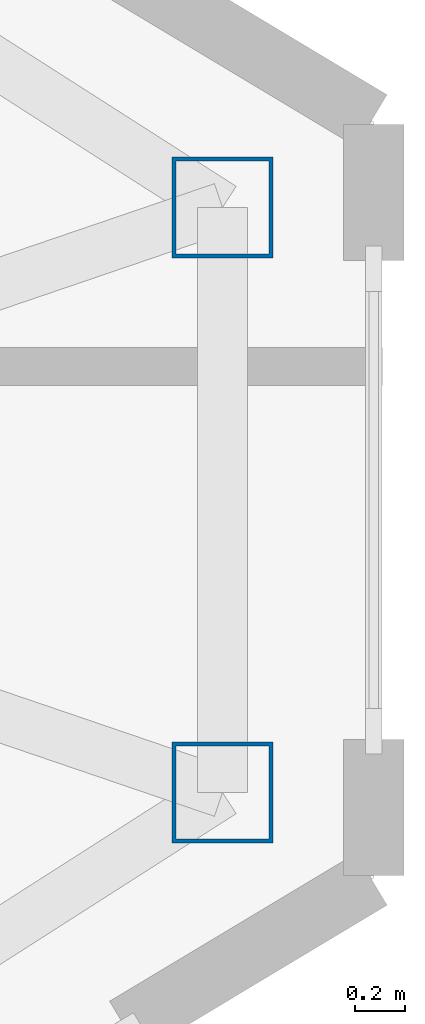
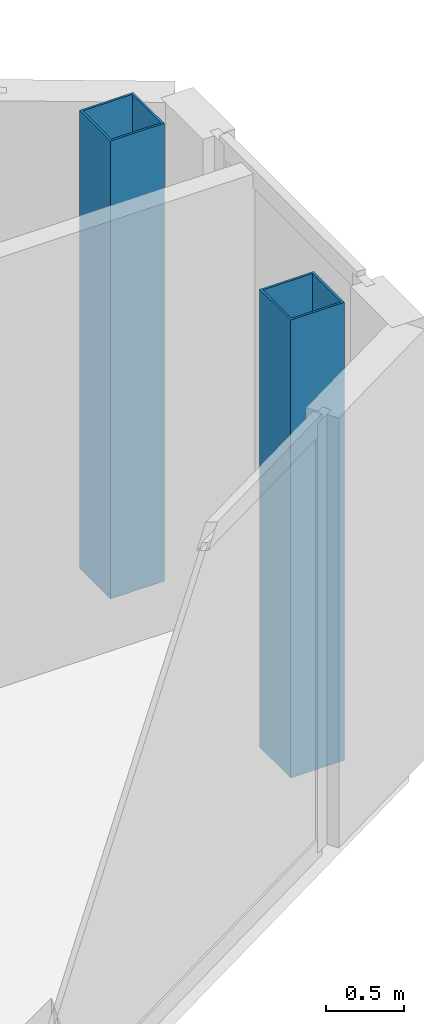
# One storey, part 4 of 25: 2 columns.
"""IFC4 building model written with IfcOpenShell, lengths in metres."""

from ifc_helpers import new_model, si_unit, direction, frame, origin, origin_2d, place, context, subcontext, project, spatial, hollow_rectangle, extrude, source, transform, mapped, material, material_profile, profile_set, type_object, type_shapes, element, save


model = new_model("IFC4")

# Units and contexts
model_context = context("Model", 3, precision=1e-05, world=origin(), true_north=direction((0.0, 1.0)))
body_context = subcontext(model_context, "Body", "Model", "MODEL_VIEW")
ifc_project = project(units=[si_unit("LENGTHUNIT", "METRE"), si_unit("AREAUNIT", "SQUARE_METRE"), si_unit("VOLUMEUNIT", "CUBIC_METRE"), si_unit("PLANEANGLEUNIT", "RADIAN"), si_unit("MASSUNIT", "GRAM", prefix="KILO")], contexts=[model_context])

# Site, building, storey
site_placement = place(None, origin())
site = spatial("IfcSite", under=ifc_project, at=site_placement, CompositionType="ELEMENT")
building_placement = place(site_placement, origin())
building = spatial("IfcBuilding", under=site, at=building_placement, Name="Seokmaru Belvedere", CompositionType="ELEMENT")
storey_placement = place(building_placement, frame((0.0, 0.0, 217.5)))
storey = spatial("IfcBuildingStorey", under=building, at=storey_placement, Name="L58", CompositionType="ELEMENT", Elevation=217.5)

# Columns
ifc_material = material(Name="Steel SM355 (355 MPa)", Category="steel")
ifc_material_profile = material_profile(ifc_material, hollow_rectangle(XDim=0.39990234375, YDim=0.39990234375, WallThickness=0.01611328125, at=origin_2d()), Name="HSS-400x400x16")
ifc_profile_set = profile_set([ifc_material_profile], Name="Steel SM355 (355 MPa)")
column_type = type_object("IfcColumnType", Name="Perimeter Facet Column HSS-400", PredefinedType="COLUMN", material=ifc_profile_set)
shared_shape = source(origin(), body_context, "Body", "SweptSolid", [
    extrude(hollow_rectangle(XDim=0.39990234375, YDim=0.39990234375, WallThickness=0.01611328125, at=origin_2d()), origin(), (0.0, 0.0, 1.0), 3.60009765625),
])
type_shapes(column_type, [shared_shape])
for number, where, z_axis, x_axis, name in (
    (1, (66.89990234375, -1.160400390625, 0.0), (0.0, 0.0, 1.0), (1.0, 0.0, 0.0), "L58 Column EF2"),
    (2, (66.89990234375, 1.160400390625, 0.0), (0.0, 0.0, 1.0), (1.0, 0.0, 0.0), "L58 Column EF3"),
):
    element("IfcColumn", number, at=place(storey_placement, frame(where, z_axis=z_axis, x_axis=x_axis)), inside=storey, type_object=column_type, Name=name, PredefinedType="COLUMN", context=body_context, shape_type="MappedRepresentation", body=[
        mapped(shared_shape, transform((0.0, 0.0, 0.0), scale=1.0)),
    ])

save(model, "model.ifc")
